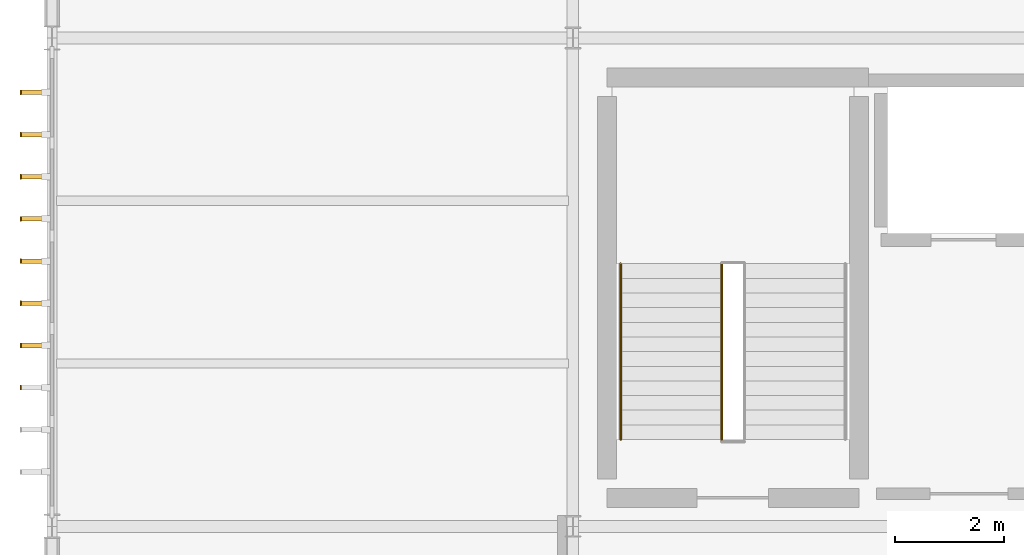
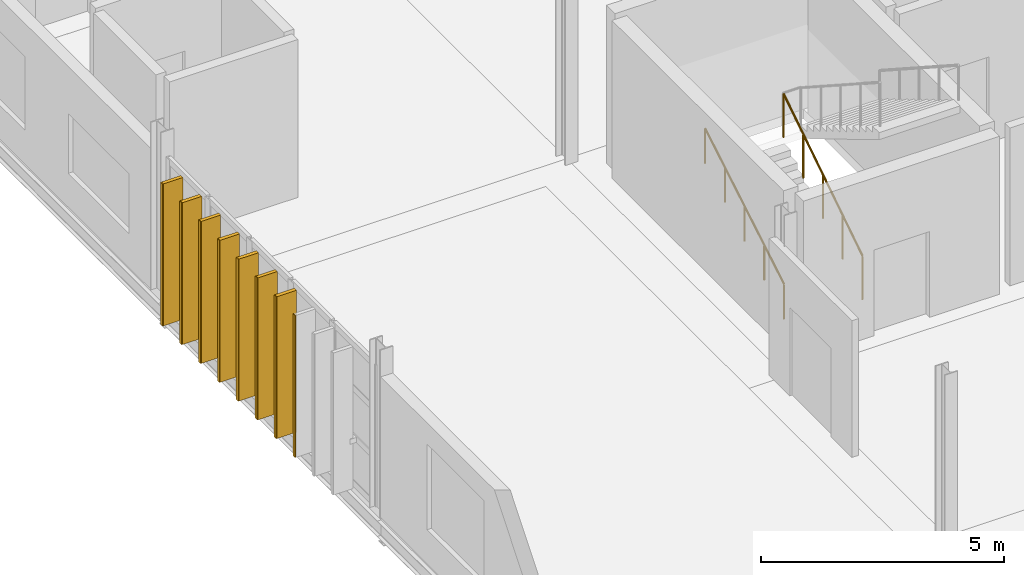
# One storey, part 31 of 38: 8 coverings, 7 shading devices, 2 railings.
"""IFC4 building model written with IfcOpenShell, lengths in metres."""

from ifc_helpers import new_model, si_unit, direction, frame, origin, origin_2d, place, context, subcontext, project, spatial, rectangle, circle, extrude, material, layer, layer_set, type_object, element, save


model = new_model("IFC4")

# Units and contexts
model_context = context("Model", 3, precision=1e-05, world=origin(), true_north=direction((0.0, 1.0)))
body_context = subcontext(model_context, "Body", "Model", "MODEL_VIEW")
ifc_project = project(units=[si_unit("LENGTHUNIT", "METRE"), si_unit("AREAUNIT", "SQUARE_METRE"), si_unit("VOLUMEUNIT", "CUBIC_METRE"), si_unit("PLANEANGLEUNIT", "RADIAN"), si_unit("MASSUNIT", "GRAM", prefix="KILO")], contexts=[model_context])

# Site, building, storey
site_placement = place(None, origin())
site = spatial("IfcSite", under=ifc_project, at=site_placement, CompositionType="ELEMENT")
building_placement = place(site_placement, origin())
building = spatial("IfcBuilding", under=site, at=building_placement, Name="Zarnetskaya Central Station", CompositionType="ELEMENT")
storey_placement = place(building_placement, frame((0.0, 0.0, 18.60009765625)))
storey = spatial("IfcBuildingStorey", under=building, at=storey_placement, Name="L04", CompositionType="ELEMENT", Elevation=18.60009765625)

# Coverings
ifc_material_1 = material(Name="Treated larch timber", Category="wood")
ifc_layer = layer(ifc_material_1, 0.02001953125, Name="Treated larch timber", Category="wood")
ifc_layer_set = layer_set([ifc_layer], Name="Treated larch timber")
covering_type = type_object("IfcCoveringType", Name="COV-LARCH-CAP", PredefinedType="CLADDING", material=ifc_layer_set)
for number, where, z_axis, x_axis, name in (
    (1, (-0.580078125, 15.7568359375, -0.000244140625), (0.0, 0.0, 1.0), (0.0, 1.0, 0.0), "Larch fin weather cap CW-L04-048-03"),
    (2, (-0.580078125, 16.5341796875, -0.000244140625), (0.0, 0.0, 1.0), (0.0, 1.0, 0.0), "Larch fin weather cap CW-L04-048-04"),
    (3, (-0.580078125, 17.311279296875, -0.000244140625), (0.0, 0.0, 1.0), (0.0, 1.0, 0.0), "Larch fin weather cap CW-L04-048-05"),
    (4, (-0.580078125, 18.088623046875, -0.000244140625), (0.0, 0.0, 1.0), (0.0, 1.0, 0.0), "Larch fin weather cap CW-L04-048-06"),
    (5, (-0.580078125, 18.865966796875, -0.000244140625), (0.0, 0.0, 1.0), (0.0, 1.0, 0.0), "Larch fin weather cap CW-L04-048-07"),
    (6, (-0.580078125, 19.64306640625, -0.000244140625), (0.0, 0.0, 1.0), (0.0, 1.0, 0.0), "Larch fin weather cap CW-L04-048-08"),
    (7, (-0.580078125, 20.42041015625, -0.000244140625), (0.0, 0.0, 1.0), (0.0, 1.0, 0.0), "Larch fin weather cap CW-L04-048-09"),
    (8, (-0.580078125, 21.19775390625, -0.000244140625), (0.0, 0.0, 1.0), (0.0, 1.0, 0.0), "Larch fin weather cap CW-L04-048-10"),
):
    element("IfcCovering", number, at=place(storey_placement, frame(where, z_axis=z_axis, x_axis=x_axis)), inside=storey, type_object=covering_type, Name=name, PredefinedType="CLADDING", context=body_context, shape_type="SweptSolid", body=[
        extrude(rectangle(XDim=0.0849609375, YDim=0.02001953125, at=origin_2d()), origin(), (0.0, 0.0, 1.0), 3.56005859375),
    ])

# Railings
ifc_material_2 = material(Name="Steel S355", Category="steel")
railing_type_1 = type_object("IfcRailingType", Name="RAIL-HAND-900", PredefinedType="HANDRAIL", material=ifc_material_2)
railing_1_placement = place(storey_placement, frame((10.47998046875, 14.800048828125, 0.161376953125)))
element("IfcRailing", 9, at=railing_1_placement, inside=storey, type_object=railing_type_1, Name="Stair ST-C1 L04 flight 1 handrail", PredefinedType="HANDRAIL", context=body_context, shape_type="SweptSolid", body=[
    extrude(circle(Radius=0.02392578125, at=origin_2d()), frame((0.0, 0.0, 0.8759765625), z_axis=(0.0, 0.858136976317, 0.513420811691), x_axis=(-1.0, 0.0, 0.0)), (0.0, 0.0, 1.0), 3.775634765625),
    extrude(circle(Radius=0.02099609375, at=origin_2d()), origin(), (0.0, 0.0, 1.0), 0.851806640625),
    extrude(circle(Radius=0.02099609375, at=origin_2d()), frame((0.0, 0.81005859375, 0.484619140625)), (0.0, 0.0, 1.0), 0.851806640625),
    extrude(circle(Radius=0.02099609375, at=origin_2d()), frame((0.0, 1.6201171875, 0.96923828125)), (0.0, 0.0, 1.0), 0.851806640625),
    extrude(circle(Radius=0.02099609375, at=origin_2d()), frame((0.0, 2.429931640625, 1.453857421875)), (0.0, 0.0, 1.0), 0.851806640625),
    extrude(circle(Radius=0.02099609375, at=origin_2d()), frame((0.0, 3.239990234375, 1.9384765625)), (0.0, 0.0, 1.0), 0.851806640625),
])
railing_type_2 = type_object("IfcRailingType", Name="RAIL-STAIR-GRD", PredefinedType="BALUSTRADE", material=ifc_material_2)
railing_2_placement = place(storey_placement, frame((12.340087890625, 14.800048828125, 0.0)))
element("IfcRailing", 10, at=railing_2_placement, inside=storey, type_object=railing_type_2, Name="Stair ST-C1 L04 flight 1 well guard", PredefinedType="BALUSTRADE", context=body_context, shape_type="SweptSolid", body=[
    extrude(circle(Radius=0.02392578125, at=origin_2d()), frame((0.0, 0.0, 1.09619140625), z_axis=(0.0, 0.839169554186, 0.543869891911), x_axis=(-1.0, 0.0, 0.0)), (0.0, 0.0, 1.0), 3.86083984375),
    extrude(circle(Radius=0.02099609375, at=origin_2d()), origin(), (0.0, 0.0, 1.0), 1.072021484375),
    extrude(circle(Radius=0.02099609375, at=origin_2d()), frame((0.0, 0.81005859375, 0.52490234375)), (0.0, 0.0, 1.0), 1.072021484375),
    extrude(circle(Radius=0.02099609375, at=origin_2d()), frame((0.0, 1.6201171875, 1.0498046875)), (0.0, 0.0, 1.0), 1.072021484375),
    extrude(circle(Radius=0.02099609375, at=origin_2d()), frame((0.0, 2.429931640625, 1.574951171875)), (0.0, 0.0, 1.0), 1.072021484375),
    extrude(circle(Radius=0.02099609375, at=origin_2d()), frame((0.0, 3.239990234375, 2.099853515625)), (0.0, 0.0, 1.0), 1.072021484375),
])

# Shading devices
ifc_material_3 = material(Name="Larch glulam GL28h", Category="wood")
shading_device_type = type_object("IfcShadingDeviceType", Name="SHD-LARCH-FIN-B", PredefinedType="USERDEFINED", material=ifc_material_3)
for number, where, z_axis, x_axis, name in (
    (11, (-0.340087890625, 16.5341796875, -0.000244140625), (0.0, 0.0, 1.0), (0.0, 1.0, 0.0), "Vertical larch timber fin CW-L04-048-04"),
    (12, (-0.340087890625, 17.311279296875, -0.000244140625), (0.0, 0.0, 1.0), (0.0, 1.0, 0.0), "Vertical larch timber fin CW-L04-048-05"),
    (13, (-0.340087890625, 18.088623046875, -0.000244140625), (0.0, 0.0, 1.0), (0.0, 1.0, 0.0), "Vertical larch timber fin CW-L04-048-06"),
    (14, (-0.340087890625, 18.865966796875, -0.000244140625), (0.0, 0.0, 1.0), (0.0, 1.0, 0.0), "Vertical larch timber fin CW-L04-048-07"),
    (15, (-0.340087890625, 19.64306640625, -0.000244140625), (0.0, 0.0, 1.0), (0.0, 1.0, 0.0), "Vertical larch timber fin CW-L04-048-08"),
    (16, (-0.340087890625, 20.42041015625, -0.000244140625), (0.0, 0.0, 1.0), (0.0, 1.0, 0.0), "Vertical larch timber fin CW-L04-048-09"),
    (17, (-0.340087890625, 21.19775390625, -0.000244140625), (0.0, 0.0, 1.0), (0.0, 1.0, 0.0), "Vertical larch timber fin CW-L04-048-10"),
):
    element("IfcShadingDevice", number, at=place(storey_placement, frame(where, z_axis=z_axis, x_axis=x_axis)), inside=storey, type_object=shading_device_type, Name=name, ObjectType="TIMBER FIN", PredefinedType="USERDEFINED", context=body_context, shape_type="SweptSolid", body=[
        extrude(rectangle(XDim=0.0849609375, YDim=0.4599609375, at=origin_2d()), origin(), (0.0, 0.0, 1.0), 3.56005859375),
    ])

save(model, "model.ifc")
